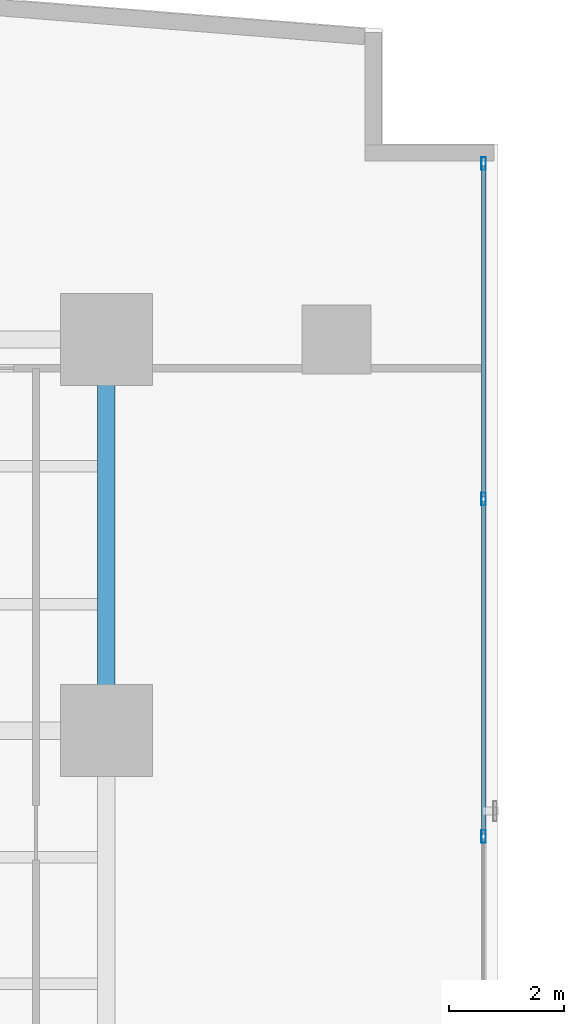
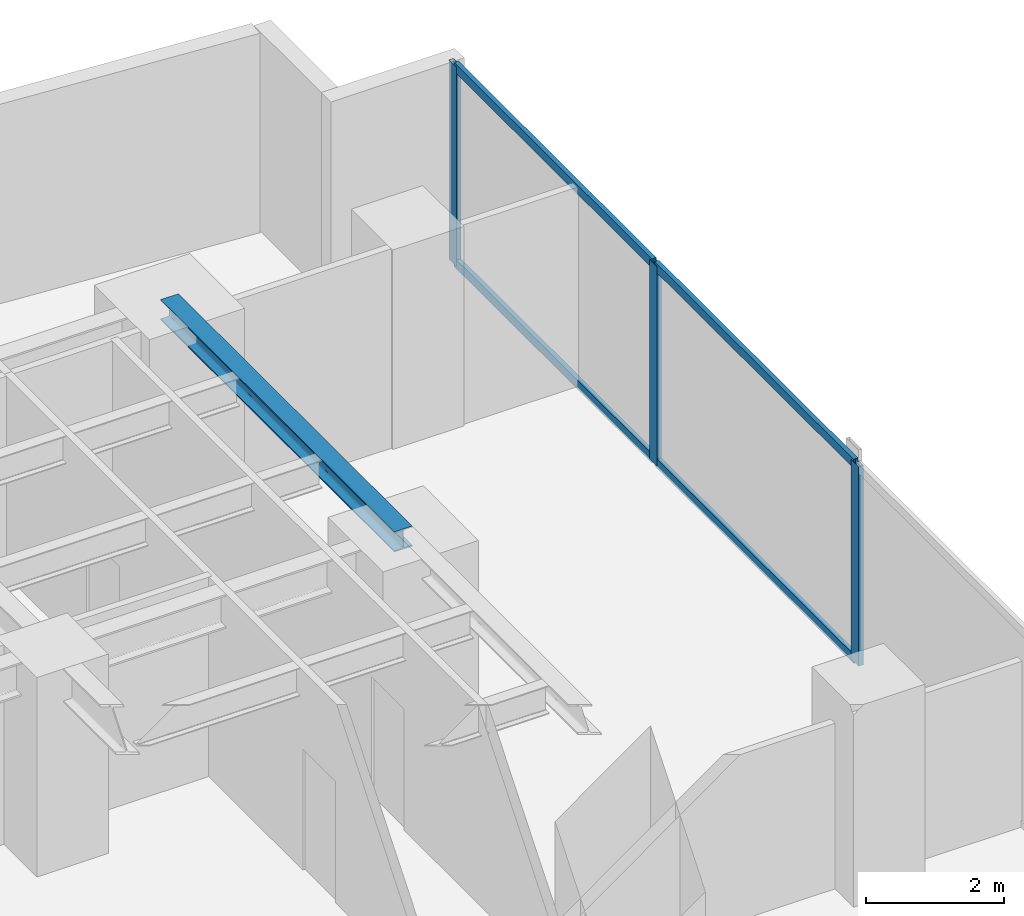
# One storey, part 19 of 27: 7 members, 1 beam, 1 element without a shape of its own.
"""IFC4 building model written with IfcOpenShell, lengths in metres."""

from ifc_helpers import new_model, si_unit, direction, frame, origin, origin_with_axes, origin_2d, place, context, subcontext, project, spatial, hollow_rectangle, i_section, extrude, source, transform, mapped, material, layer, layer_set, material_profile, profile_set, type_object, element, aggregate, save


model = new_model("IFC4")

# Units and contexts
model_context = context("Model", 3, precision=1e-05, world=origin(), true_north=direction((0.0, 1.0)))
body_context = subcontext(model_context, "Body", "Model", "MODEL_VIEW")
ifc_project = project(units=[si_unit("LENGTHUNIT", "METRE"), si_unit("AREAUNIT", "SQUARE_METRE"), si_unit("VOLUMEUNIT", "CUBIC_METRE"), si_unit("PLANEANGLEUNIT", "RADIAN"), si_unit("MASSUNIT", "GRAM", prefix="KILO")], contexts=[model_context])

# Site, building, storey
site_placement = place(None, origin())
site = spatial("IfcSite", under=ifc_project, at=site_placement, CompositionType="ELEMENT")
building_placement = place(site_placement, origin())
building = spatial("IfcBuilding", under=site, at=building_placement, Name="Kolvaren Waterfront Exchange", CompositionType="ELEMENT")
storey_placement = place(building_placement, frame((0.0, 0.0, 60.0)))
storey = spatial("IfcBuildingStorey", under=building, at=storey_placement, Name="L15", CompositionType="ELEMENT", Elevation=60.0)

# Beam
ifc_material_1 = material(Name="Steel S355", Category="steel")
ifc_material_profile_1 = material_profile(ifc_material_1, i_section(OverallWidth=0.300048828125, OverallDepth=0.360107421875, WebThickness=0.012451171875, FlangeThickness=0.0224609375, FilletRadius=0.027099609375, at=origin_2d()), Name="HEB360")
ifc_profile_set_1 = profile_set([ifc_material_profile_1], Name="Steel S355")
beam_type = type_object("IfcBeamType", Name="STR-BM-HEB360", PredefinedType="SPANDREL", material=ifc_profile_set_1)
beam_placement = place(storey_placement, frame((18.800048828125, 37.800048828125, 3.360107421875), z_axis=(0.0, 1.0, 0.0), x_axis=(-1.0, 0.0, 0.0)))
element("IfcBeam", 1, at=beam_placement, inside=storey, type_object=beam_type, Name="L15 north-arm edge beam 3", PredefinedType="SPANDREL", context=body_context, shape_type="SweptSolid", body=[
    extrude(i_section(OverallWidth=0.300048828125, OverallDepth=0.360107421875, WebThickness=0.012451171875, FlangeThickness=0.0224609375, FilletRadius=0.027099609375, at=origin_2d()), origin(), (0.0, 0.0, 1.0), 6.800048828125),
])

# Curtain wall, members
ifc_material_2 = material(Name="Anodised bronze aluminium 6063-T6", Category="aluminium")
ifc_layer = layer(ifc_material_2, 0.219970703125, Name="Anodised bronze aluminium 6063-T6")
ifc_layer_set = layer_set([ifc_layer], Name="Anodised bronze aluminium 6063-T6")
curtain_wall_type = type_object("IfcCurtainWallType", Name="ARC-CW-SYS1", PredefinedType="USERDEFINED", material=ifc_layer_set)
curtain_wall_placement = place(storey_placement, origin())
curtain_wall = element("IfcCurtainWall", 2, at=curtain_wall_placement, inside=storey, type_object=curtain_wall_type, Name="L15 stick curtain wall CW1 (CW-L15-NE)", ObjectType="STICK CURTAIN WALL", PredefinedType="USERDEFINED")
ifc_material_3 = material(Name="Anodised aluminium 6063-T6", Category="aluminium")
ifc_material_profile_2 = material_profile(ifc_material_3, hollow_rectangle(XDim=0.074951171875, YDim=0.159912109375, WallThickness=0.00439453125, at=origin_2d()), Name="ALU-TRN-160x75x4.5")
ifc_profile_set_2 = profile_set([ifc_material_profile_2], Name="Anodised aluminium 6063-T6")
member_type_1 = type_object("IfcMemberType", Name="ARC-CWT-160", PredefinedType="USERDEFINED", material=ifc_profile_set_2)
shared_shape_1 = source(origin_with_axes(), body_context, "Body", "SweptSolid", [
    extrude(hollow_rectangle(XDim=0.074951171875, YDim=0.159912109375, WallThickness=0.00439453125, at=origin_2d()), origin(), (0.0, 0.0, 1.0), 5.75),
])
member_1_placement = place(storey_placement, frame((25.360107421875, 41.8701171875, 0.03759765625), z_axis=(0.0, 1.0, 0.0), x_axis=(-1.0, 0.0, 0.0)))
member_1 = element("IfcMember", 3, at=member_1_placement, type_object=member_type_1, Name="CW1 transom 3.1", ObjectType="TRANSOM", PredefinedType="USERDEFINED", context=body_context, shape_type="MappedRepresentation", body=[
    mapped(shared_shape_1, transform((0.0, 0.0, 0.0), x_axis=(1.0, 0.0, 0.0), y_axis=(0.0, 1.0, 0.0), z_axis=(0.0, 0.0, 1.0), scale=1.0)),
])
member_2_placement = place(storey_placement, frame((25.360107421875, 41.8701171875, 3.50244140625), z_axis=(0.0, 1.0, 0.0), x_axis=(-1.0, 0.0, 0.0)))
member_2 = element("IfcMember", 4, at=member_2_placement, type_object=member_type_1, Name="CW1 transom 3.2", ObjectType="TRANSOM", PredefinedType="USERDEFINED", context=body_context, shape_type="MappedRepresentation", body=[
    mapped(shared_shape_1, transform((0.0, 0.0, 0.0), x_axis=(1.0, 0.0, 0.0), y_axis=(0.0, 1.0, 0.0), z_axis=(0.0, 0.0, 1.0), scale=1.0)),
])
shared_shape_2 = source(origin_with_axes(), body_context, "Body", "SweptSolid", [
    extrude(hollow_rectangle(XDim=0.074951171875, YDim=0.159912109375, WallThickness=0.00439453125, at=origin_2d()), origin(), (0.0, 0.0, 1.0), 5.7900390625),
])
member_3_placement = place(storey_placement, frame((25.360107421875, 36.0, 0.03759765625), z_axis=(0.0, 1.0, 0.0), x_axis=(-1.0, 0.0, 0.0)))
member_3 = element("IfcMember", 5, at=member_3_placement, type_object=member_type_1, Name="CW1 transom 2.1", ObjectType="TRANSOM", PredefinedType="USERDEFINED", context=body_context, shape_type="MappedRepresentation", body=[
    mapped(shared_shape_2, transform((0.0, 0.0, 0.0), x_axis=(1.0, 0.0, 0.0), y_axis=(0.0, 1.0, 0.0), z_axis=(0.0, 0.0, 1.0), scale=1.0)),
])
member_4_placement = place(storey_placement, frame((25.360107421875, 36.0, 3.50244140625), z_axis=(0.0, 1.0, 0.0), x_axis=(-1.0, 0.0, 0.0)))
member_4 = element("IfcMember", 6, at=member_4_placement, type_object=member_type_1, Name="CW1 transom 2.2", ObjectType="TRANSOM", PredefinedType="USERDEFINED", context=body_context, shape_type="MappedRepresentation", body=[
    mapped(shared_shape_2, transform((0.0, 0.0, 0.0), x_axis=(1.0, 0.0, 0.0), y_axis=(0.0, 1.0, 0.0), z_axis=(0.0, 0.0, 1.0), scale=1.0)),
])
ifc_material_profile_3 = material_profile(ifc_material_3, hollow_rectangle(XDim=0.080078125, YDim=0.219970703125, WallThickness=0.0048828125, at=origin_2d()), Name="ALU-MUL-220x80x5")
ifc_profile_set_3 = profile_set([ifc_material_profile_3], Name="Anodised aluminium 6063-T6")
member_type_2 = type_object("IfcMemberType", Name="ARC-CWM-220", PredefinedType="MULLION", material=ifc_profile_set_3)
shared_shape_3 = source(origin_with_axes(), body_context, "Body", "SweptSolid", [
    extrude(hollow_rectangle(XDim=0.080078125, YDim=0.219970703125, WallThickness=0.0048828125, at=origin_2d()), origin(), (0.0, 0.0, 1.0), 3.5400390625),
])
member_5_placement = place(storey_placement, frame((25.360107421875, 35.9599609375, 0.0), z_axis=(0.0, 0.0, 1.0), x_axis=(-1.0, 0.0, 0.0)))
member_5 = element("IfcMember", 7, at=member_5_placement, type_object=member_type_2, Name="CW1 mullion 2", PredefinedType="MULLION", context=body_context, shape_type="MappedRepresentation", body=[
    mapped(shared_shape_3, transform((0.0, 0.0, 0.0), x_axis=(1.0, 0.0, 0.0), y_axis=(0.0, 1.0, 0.0), z_axis=(0.0, 0.0, 1.0), scale=1.0)),
])
member_6_placement = place(storey_placement, frame((25.360107421875, 41.830078125, 0.0), z_axis=(0.0, 0.0, 1.0), x_axis=(-1.0, 0.0, 0.0)))
member_6 = element("IfcMember", 8, at=member_6_placement, type_object=member_type_2, Name="CW1 mullion 3", PredefinedType="MULLION", context=body_context, shape_type="MappedRepresentation", body=[
    mapped(shared_shape_3, transform((0.0, 0.0, 0.0), x_axis=(1.0, 0.0, 0.0), y_axis=(0.0, 1.0, 0.0), z_axis=(0.0, 0.0, 1.0), scale=1.0)),
])
member_7_placement = place(storey_placement, frame((25.360107421875, 47.659912109375, 0.0), z_axis=(0.0, 0.0, 1.0), x_axis=(-1.0, 0.0, 0.0)))
member_7 = element("IfcMember", 9, at=member_7_placement, type_object=member_type_2, Name="CW1 mullion 4", PredefinedType="MULLION", context=body_context, shape_type="MappedRepresentation", body=[
    mapped(shared_shape_3, transform((0.0, 0.0, 0.0), x_axis=(1.0, 0.0, 0.0), y_axis=(0.0, 1.0, 0.0), z_axis=(0.0, 0.0, 1.0), scale=1.0)),
])
aggregate(curtain_wall, [member_5, member_6, member_7, member_3, member_4, member_1, member_2])

save(model, "model.ifc")
